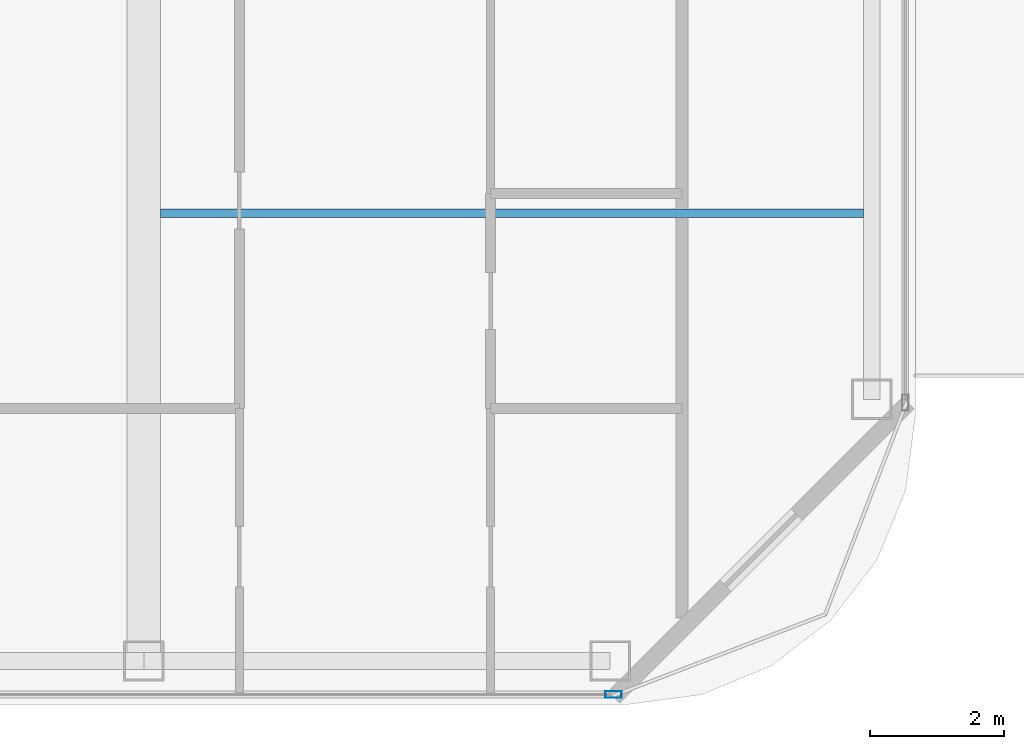
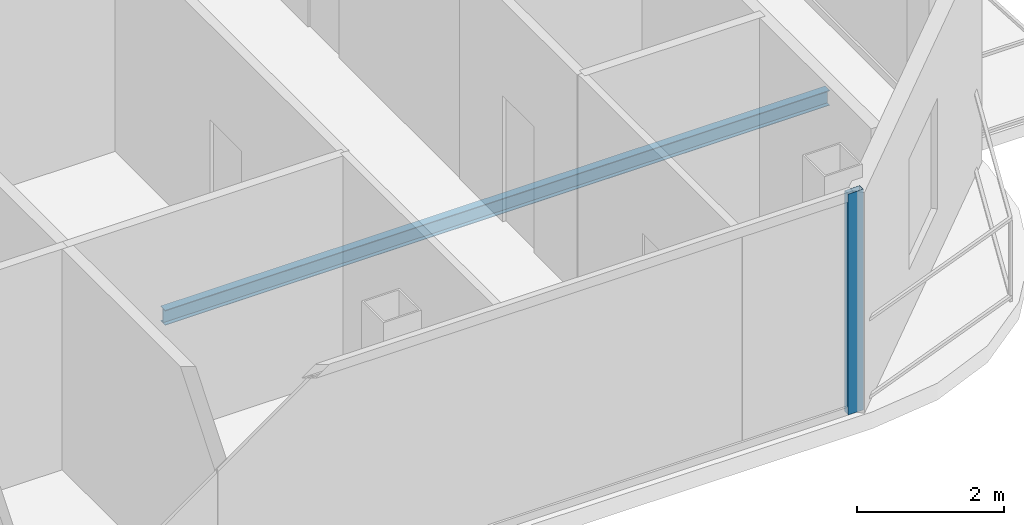
# One storey, part 7 of 26: 1 beam, 1 member, 1 element without a shape of its own.
"""IFC4 building model written with IfcOpenShell, lengths in metres."""

from ifc_helpers import new_model, si_unit, direction, frame, origin, origin_2d, place, context, subcontext, project, spatial, hollow_rectangle, i_section, extrude, material, layer, layer_set, material_profile, profile_set, type_object, element, aggregate, save


model = new_model("IFC4")

# Units and contexts
model_context = context("Model", 3, precision=1e-05, world=origin(), true_north=direction((0.0, 1.0)))
body_context = subcontext(model_context, "Body", "Model", "MODEL_VIEW")
ifc_project = project(units=[si_unit("LENGTHUNIT", "METRE"), si_unit("AREAUNIT", "SQUARE_METRE"), si_unit("VOLUMEUNIT", "CUBIC_METRE"), si_unit("PLANEANGLEUNIT", "RADIAN"), si_unit("MASSUNIT", "GRAM", prefix="KILO")], contexts=[model_context])

# Site, building, storey
site_placement = place(None, origin())
site = spatial("IfcSite", under=ifc_project, at=site_placement, CompositionType="ELEMENT")
building_placement = place(site_placement, origin())
building = spatial("IfcBuilding", under=site, at=building_placement, Name="Khorvyn Point Tower", CompositionType="ELEMENT")
storey_placement = place(building_placement, frame((0.0, 0.0, 219.60009765625)))
storey = spatial("IfcBuildingStorey", under=building, at=storey_placement, Name="L54", CompositionType="ELEMENT", Elevation=219.60009765625)

# Curtain wall, member
ifc_material_1 = material(Name="Anodised aluminium 6063-T6 and laminated Low-E glass", Category="aluminium")
ifc_layer = layer(ifc_material_1, 0.18994140625)
ifc_layer_set = layer_set([ifc_layer], Name="Stick-Built Acoustic Curtain Wall CW-SYS-03")
curtain_wall_type = type_object("IfcCurtainWallType", Name="Stick-Built Acoustic Curtain Wall CW-SYS-03", PredefinedType="NOTDEFINED", material=ifc_layer_set)
curtain_wall_placement = place(storey_placement, origin())
curtain_wall = element("IfcCurtainWall", 1, at=curtain_wall_placement, inside=storey, type_object=curtain_wall_type, Name="Curtain Wall", PredefinedType="NOTDEFINED")
ifc_material_2 = material(Name="Anodised aluminium 6063-T6", Category="aluminium")
ifc_material_profile_1 = material_profile(ifc_material_2, hollow_rectangle(XDim=0.10009765625, YDim=0.239990234375, WallThickness=0.0048828125, at=origin_2d()))
ifc_profile_set_1 = profile_set([ifc_material_profile_1], Name="Anodised aluminium 6063-T6 ALU-MUL-100x240")
member_type = type_object("IfcMemberType", Name="Anodised Aluminium 6063-T6 Mullion ALU-MUL-100x240", PredefinedType="MULLION", material=ifc_profile_set_1)
member_placement = place(storey_placement, frame((21.800048828125, -28.64990234375, 0.0), z_axis=(0.0, 0.0, 1.0), x_axis=(0.0, -1.0, 0.0)))
member = element("IfcMember", 2, at=member_placement, type_object=member_type, Name="Transom", PredefinedType="MULLION", context=body_context, shape_type="SweptSolid", body=[
    extrude(hollow_rectangle(XDim=0.10009765625, YDim=0.239990234375, WallThickness=0.0048828125, at=origin_2d()), origin(), (0.0, 0.0, 1.0), 3.679931640625),
])
aggregate(curtain_wall, [member])

# Beam
ifc_material_3 = material(Name="Steel S355", Category="steel")
ifc_material_profile_2 = material_profile(ifc_material_3, i_section(OverallWidth=0.125, OverallDepth=0.25, WebThickness=0.006103515625, FlangeThickness=0.009033203125, at=origin_2d()))
ifc_profile_set_2 = profile_set([ifc_material_profile_2], Name="Steel S355 H250x125x6x9")
beam_type = type_object("IfcBeamType", Name="Steel S355 Joist H250x125x6x9", PredefinedType="JOIST", material=ifc_profile_set_2)
beam_placement = place(storey_placement, frame((15.050048828125, -21.47509765625, -0.405029296875), z_axis=(1.0, 0.0, 0.0), x_axis=(0.0, 1.0, 0.0)))
element("IfcBeam", 3, at=beam_placement, inside=storey, type_object=beam_type, Name="Beam", PredefinedType="JOIST", context=body_context, shape_type="SweptSolid", body=[
    extrude(i_section(OverallWidth=0.125, OverallDepth=0.25, WebThickness=0.006103515625, FlangeThickness=0.009033203125, at=origin_2d()), origin(), (0.0, 0.0, 1.0), 10.474853515625),
])

save(model, "model.ifc")
